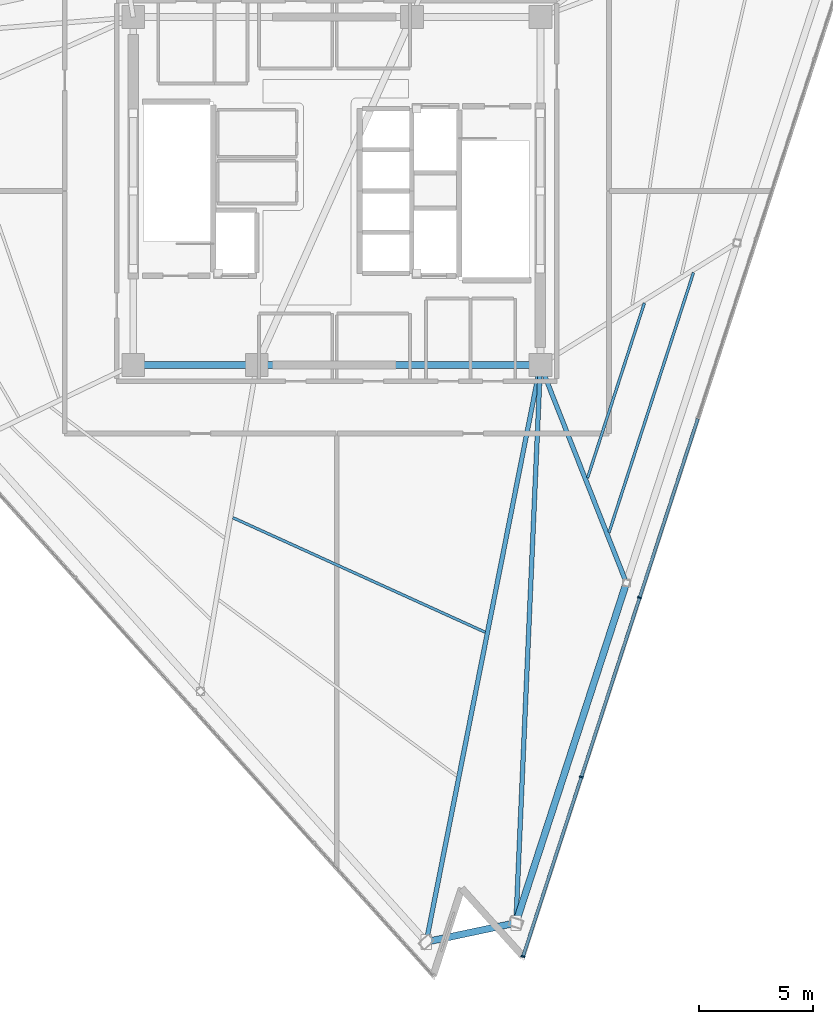
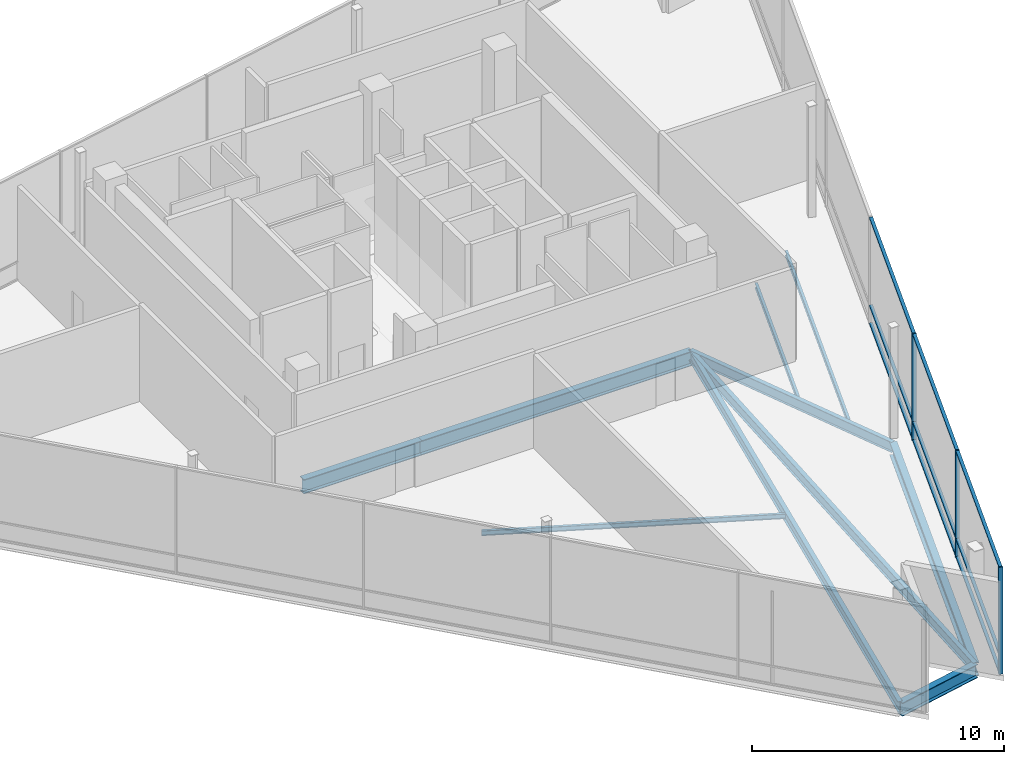
# One storey, part 5 of 14: 12 members, 10 beams, 1 element without a shape of its own.
"""IFC4 building model written with IfcOpenShell, lengths in metres."""

import ifcopenshell
import ifcopenshell.guid

model = None  # the IFC model being written
_history = None  # IfcOwnerHistory: only IFC2X3 demands one
_inside = {}  # id of a spatial element -> (the spatial element, [elements in it])
_under = {}  # id of a project, library or spatial element -> (it, [spatial elements below it])
_declared = {}  # id of a project -> (the project, [libraries it declares])
_typed = {}  # id of a type object -> (the type object, [elements of that type])
_made_of = {}  # id of a material, layer set ... -> (it, [elements and type objects made of it])


def new_model(schema):
    """Start an empty IFC model of exactly this schema.

    Asked for "IFC4X3", IfcOpenShell would pick the latest addendum, in which some entities
    have other attributes; the version numbers below select the first issue.
    IFC2X3 requires an IfcOwnerHistory on every rooted entity: one is made here for all.
    """
    global model, _history
    if schema == "IFC4X3":
        model = ifcopenshell.file(schema_version=(4, 3, 0, 0))
    else:
        model = ifcopenshell.file(schema=schema)
    _inside.clear()
    _under.clear()
    _declared.clear()
    _typed.clear()
    _made_of.clear()
    _history = None
    if model.schema == "IFC2X3":
        org = make("IfcOrganization", Name="unknown")
        user = make(
            "IfcPersonAndOrganization",
            ThePerson=make("IfcPerson", FamilyName="unknown"),
            TheOrganization=org,
        )
        app = make(
            "IfcApplication",
            ApplicationDeveloper=org,
            Version="unknown",
            ApplicationFullName="unknown",
            ApplicationIdentifier="unknown",
        )
        _history = make(
            "IfcOwnerHistory",
            OwningUser=user,
            OwningApplication=app,
            ChangeAction="ADDED",
            CreationDate=0,
        )
    return model


def make(cls, **values):
    """One entity of the class cls with the attributes given. An attribute that is None is left unset."""
    return model.create_entity(
        cls, **{name: value for name, value in values.items() if value is not None}
    )


def rooted(cls, **values):
    """An entity with a GlobalId (a new one), such as an element, a storey or a relation."""
    return make(cls, GlobalId=ifcopenshell.guid.new(), OwnerHistory=_history, **values)


def si_unit(unit_type, name, prefix=None):
    """IfcSIUnit, for example si_unit("LENGTHUNIT", "METRE", prefix="MILLI")."""
    return make("IfcSIUnit", UnitType=unit_type, Prefix=prefix, Name=name)


def assignment(units):
    """IfcUnitAssignment: the units of a project."""
    return None if units is None else make("IfcUnitAssignment", Units=units)


def point(xyz):
    """IfcCartesianPoint."""
    return None if xyz is None else make("IfcCartesianPoint", Coordinates=xyz)


def direction(xyz):
    """IfcDirection."""
    return None if xyz is None else make("IfcDirection", DirectionRatios=xyz)


def frame(location, z_axis=None, x_axis=None):
    """IfcAxis2Placement3D, a coordinate frame: its origin and axes. An axis left out is left unset."""
    return make(
        "IfcAxis2Placement3D",
        Location=point(location),
        Axis=direction(z_axis),
        RefDirection=direction(x_axis),
    )


def frame_2d(location, x_axis=None):
    """IfcAxis2Placement2D, a coordinate frame in the plane: its origin and x axis."""
    return make(
        "IfcAxis2Placement2D", Location=point(location), RefDirection=direction(x_axis)
    )


def origin():
    """The frame at (0, 0, 0) with its axes left unset."""
    return frame((0.0, 0.0, 0.0))


def origin_2d():
    """The frame at (0, 0) in the plane with its x axis left unset."""
    return frame_2d((0.0, 0.0))


def place(relative_to, where):
    """IfcLocalPlacement: puts the frame where relative to a parent placement (None: the world)."""
    return make(
        "IfcLocalPlacement", PlacementRelTo=relative_to, RelativePlacement=where
    )


def context(
    kind, dimensions, precision=None, world=None, true_north=None, identifier=None
):
    """IfcGeometricRepresentationContext, for example the 3D "Model" context."""
    return make(
        "IfcGeometricRepresentationContext",
        ContextIdentifier=identifier,
        ContextType=kind,
        CoordinateSpaceDimension=dimensions,
        Precision=precision,
        WorldCoordinateSystem=world,
        TrueNorth=true_north,
    )


def subcontext(parent, identifier, kind, view, scale=None):
    """IfcGeometricRepresentationSubContext, for example "Body" below "Model"."""
    return make(
        "IfcGeometricRepresentationSubContext",
        ContextIdentifier=identifier,
        ContextType=kind,
        ParentContext=parent,
        TargetScale=scale,
        TargetView=view,
    )


def project(units=None, contexts=None):
    """IfcProject with its units and contexts."""
    return rooted(
        "IfcProject",
        Name="project",
        RepresentationContexts=contexts,
        UnitsInContext=assignment(units),
    )


def spatial(cls, under=None, at=None, **own):
    """A site, building, storey or space (cls), placed at a placement, below another one or the project."""
    s = rooted(cls, ObjectPlacement=at, **own)
    if under is not None:
        _under.setdefault(under.id(), (under, []))[1].append(s)
    return s


def profile(cls, at=None, kind="AREA", **sizes):
    """A parametric profile (cls). Its sizes go by their IFC names, for example OverallWidth=200.0."""
    return make(cls, ProfileType=kind, Position=at, **sizes)


def rectangle(**sizes):
    """IfcRectangleProfileDef."""
    return profile("IfcRectangleProfileDef", **sizes)


def i_section(**sizes):
    """IfcIShapeProfileDef."""
    return profile("IfcIShapeProfileDef", **sizes)


def extrude(swept, where, along, depth):
    """IfcExtrudedAreaSolid: the profile swept, set in the frame where, extruded along a direction by depth."""
    return make(
        "IfcExtrudedAreaSolid",
        SweptArea=swept,
        Position=where,
        ExtrudedDirection=direction(along),
        Depth=depth,
    )


def shape(context_of_items, identifier, shape_type, items):
    """IfcShapeRepresentation: the items that make up one representation, for example the "Body"."""
    return make(
        "IfcShapeRepresentation",
        ContextOfItems=context_of_items,
        RepresentationIdentifier=identifier,
        RepresentationType=shape_type,
        Items=items,
    )


def material(Name=None, Category=None):
    """IfcMaterial."""
    return make("IfcMaterial", Name=Name, Category=Category)


def layer(
    of_material, thickness, ventilated=None, Name=None, Category=None, Priority=None
):
    """IfcMaterialLayer: one layer of a wall or slab, of a material (None: an air gap)."""
    return make(
        "IfcMaterialLayer",
        Material=of_material,
        LayerThickness=thickness,
        IsVentilated=ventilated,
        Name=Name,
        Category=Category,
        Priority=Priority,
    )


def layer_set(layers, Name=None):
    """IfcMaterialLayerSet."""
    return make("IfcMaterialLayerSet", MaterialLayers=layers, LayerSetName=Name)


def material_profile(
    of_material, cross_section, Name=None, Category=None, Priority=None
):
    """IfcMaterialProfile: a cross section and its material."""
    return make(
        "IfcMaterialProfile",
        Name=Name,
        Material=of_material,
        Profile=cross_section,
        Priority=Priority,
        Category=Category,
    )


def profile_set(profiles, Name=None, composite=None):
    """IfcMaterialProfileSet."""
    return make(
        "IfcMaterialProfileSet",
        Name=Name,
        MaterialProfiles=profiles,
        CompositeProfile=composite,
    )


def made_of(thing, what):
    """Note that an element or type object is made of a material, layer set ...; save() writes the relation."""
    if what is not None:
        _made_of.setdefault(what.id(), (what, []))[1].append(thing)
    return thing


def type_object(cls, material=None, **own):
    """A type object (cls), such as IfcWallType, which elements share."""
    return made_of(rooted(cls, **own), material)


def element(
    cls,
    number,
    at=None,
    inside=None,
    cuts=None,
    type_object=None,
    material=None,
    context=None,
    identifier="Body",
    shape_type=None,
    held_by="IfcProductDefinitionShape",
    body=None,
    shapes=None,
    **own,
):
    """One element of the class cls, such as IfcWall. Its Tag is "e" and its number.

    at: its placement. inside: the storey or other place that contains it. cuts: it is an
    opening in that element (IfcRelVoidsElement). A single representation is given by context,
    identifier, shape_type and body (its items); several are given by shapes. held_by: the class
    of the entity that holds the representations. save() writes the other relations.
    """
    e = rooted(cls, Tag="e%d" % number, ObjectPlacement=at, **own)
    if body is not None:
        shapes = [shape(context, identifier, shape_type, body)]
    if shapes is not None:
        e.Representation = make(held_by, Representations=shapes)
    if inside is not None:
        _inside.setdefault(inside.id(), (inside, []))[1].append(e)
    if cuts is not None:
        rooted(
            "IfcRelVoidsElement", RelatingBuildingElement=cuts, RelatedOpeningElement=e
        )
    if type_object is not None:
        _typed.setdefault(type_object.id(), (type_object, []))[1].append(e)
    return made_of(e, material)


def aggregate(whole, parts):
    """IfcRelAggregates: a whole, such as a stair, and the parts it consists of."""
    return rooted("IfcRelAggregates", RelatingObject=whole, RelatedObjects=parts)


def save(model, path):
    """Write the relations noted so far, then the file.

    IfcRelAggregates (storeys below a building ...), IfcRelContainedInSpatialStructure (elements
    in a storey), IfcRelDefinesByType, IfcRelAssociatesMaterial and IfcRelDeclares: one each for
    every whole, place, type object, material and project.
    """
    for whole, parts in _under.values():
        aggregate(whole, parts)
    for where, things in _inside.values():
        rooted(
            "IfcRelContainedInSpatialStructure",
            RelatedElements=things,
            RelatingStructure=where,
        )
    for kind, things in _typed.values():
        rooted("IfcRelDefinesByType", RelatedObjects=things, RelatingType=kind)
    for what, things in _made_of.values():
        rooted("IfcRelAssociatesMaterial", RelatedObjects=things, RelatingMaterial=what)
    for by, libraries in _declared.values():
        rooted("IfcRelDeclares", RelatingContext=by, RelatedDefinitions=libraries)
    model.write(path)


model = new_model("IFC4")

# Units and contexts
model_context = context("Model", 3, precision=1e-05, world=origin(), true_north=direction((0.0, 1.0)))
body_context = subcontext(model_context, "Body", "Model", "MODEL_VIEW")
ifc_project = project(units=[si_unit("LENGTHUNIT", "METRE"), si_unit("AREAUNIT", "SQUARE_METRE"), si_unit("VOLUMEUNIT", "CUBIC_METRE"), si_unit("PLANEANGLEUNIT", "RADIAN"), si_unit("MASSUNIT", "GRAM", prefix="KILO")], contexts=[model_context])

# Site, building, storey
site_placement = place(None, origin())
site = spatial("IfcSite", under=ifc_project, at=site_placement, CompositionType="ELEMENT")
building_placement = place(site_placement, origin())
building = spatial("IfcBuilding", under=site, at=building_placement, Name="Tharavind Bronze Gate", CompositionType="ELEMENT")
storey_placement = place(building_placement, frame((0.0, 0.0, 310.85009765625)))
storey = spatial("IfcBuildingStorey", under=building, at=storey_placement, Name="L80", CompositionType="ELEMENT", Elevation=310.85009765625)

# Curtain wall, members
ifc_material_1 = material(Name="Anodised Bronze Aluminium", Category="aluminium")
ifc_layer = layer(ifc_material_1, 0.219970703125)
ifc_layer_set = layer_set([ifc_layer], Name="Anodised Bronze Aluminium")
curtain_wall_type = type_object("IfcCurtainWallType", Name="UNITISED CURTAIN WALL CROWN", PredefinedType="USERDEFINED", material=ifc_layer_set)
curtain_wall_placement = place(storey_placement, origin())
curtain_wall = element("IfcCurtainWall", 1, at=curtain_wall_placement, inside=storey, type_object=curtain_wall_type, Name="L80 unitised curtain wall crown CW-L80-S2", ObjectType="UNITISED CURTAIN WALL", PredefinedType="USERDEFINED")
member_type_1 = type_object("IfcMemberType", Name="CURTAIN WALL BRONZE MULLION 65X180", PredefinedType="MULLION", material=ifc_material_1)
member_1_placement = place(storey_placement, frame((8.14111328125, -33.462646484375, 0.0), z_axis=(0.0, 0.0, 1.0), x_axis=(0.309016994375, 0.951056516295, 0.0)))
member_1 = element("IfcMember", 2, at=member_1_placement, type_object=member_type_1, Name="CW-L80-S2 mullion 1", PredefinedType="MULLION", context=body_context, shape_type="SweptSolid", body=[
    extrude(rectangle(XDim=0.06494140625, YDim=0.179931640625, at=origin_2d()), origin(), (0.0, 0.0, 1.0), 5.179931640625),
])
member_2_placement = place(storey_placement, frame((10.68994140625, -25.618408203125, 0.0), z_axis=(0.0, 0.0, 1.0), x_axis=(0.309016994375, 0.951056516295, 0.0)))
member_2 = element("IfcMember", 3, at=member_2_placement, type_object=member_type_1, Name="CW-L80-S2 mullion 2", PredefinedType="MULLION", context=body_context, shape_type="SweptSolid", body=[
    extrude(rectangle(XDim=0.06494140625, YDim=0.179931640625, at=origin_2d()), origin(), (0.0, 0.0, 1.0), 5.179931640625),
])
member_3_placement = place(storey_placement, frame((13.23876953125, -17.77392578125, 0.0), z_axis=(0.0, 0.0, 1.0), x_axis=(0.309016994375, 0.951056516295, 0.0)))
member_3 = element("IfcMember", 4, at=member_3_placement, type_object=member_type_1, Name="CW-L80-S2 mullion 3", PredefinedType="MULLION", context=body_context, shape_type="SweptSolid", body=[
    extrude(rectangle(XDim=0.06494140625, YDim=0.179931640625, at=origin_2d()), origin(), (0.0, 0.0, 1.0), 5.179931640625),
])
member_type_2 = type_object("IfcMemberType", Name="CURTAIN WALL BRONZE TRANSOM 65X140", PredefinedType="USERDEFINED", material=ifc_material_1)
member_4_placement = place(storey_placement, frame((9.41552734375, -29.54052734375, 0.0), z_axis=(0.0, 0.0, 1.0), x_axis=(0.309016994375, 0.951056516295, 0.0)))
member_4 = element("IfcMember", 5, at=member_4_placement, type_object=member_type_2, Name="CW-L80-S2 transom TB1", ObjectType="TRANSOM", PredefinedType="USERDEFINED", context=body_context, shape_type="SweptSolid", body=[
    extrude(rectangle(XDim=8.195068359375, YDim=0.139892578125, at=origin_2d()), origin(), (0.0, 0.0, 1.0), 0.06494140625),
])
member_5_placement = place(storey_placement, frame((9.41552734375, -29.54052734375, 0.867431640625), z_axis=(0.0, 0.0, 1.0), x_axis=(0.309016994375, 0.951056516295, 0.0)))
member_5 = element("IfcMember", 6, at=member_5_placement, type_object=member_type_2, Name="CW-L80-S2 transom TS1", ObjectType="TRANSOM", PredefinedType="USERDEFINED", context=body_context, shape_type="SweptSolid", body=[
    extrude(rectangle(XDim=8.195068359375, YDim=0.139892578125, at=origin_2d()), origin(), (0.0, 0.0, 1.0), 0.06494140625),
])
member_6_placement = place(storey_placement, frame((9.41552734375, -29.54052734375, 5.114990234375), z_axis=(0.0, 0.0, 1.0), x_axis=(0.309016994375, 0.951056516295, 0.0)))
member_6 = element("IfcMember", 7, at=member_6_placement, type_object=member_type_2, Name="CW-L80-S2 transom TT1", ObjectType="TRANSOM", PredefinedType="USERDEFINED", context=body_context, shape_type="SweptSolid", body=[
    extrude(rectangle(XDim=8.195068359375, YDim=0.139892578125, at=origin_2d()), origin(), (0.0, 0.0, 1.0), 0.06494140625),
])
member_7_placement = place(storey_placement, frame((11.96435546875, -21.6962890625, 0.0), z_axis=(0.0, 0.0, 1.0), x_axis=(0.309016994375, 0.951056516295, 0.0)))
member_7 = element("IfcMember", 8, at=member_7_placement, type_object=member_type_2, Name="CW-L80-S2 transom TB2", ObjectType="TRANSOM", PredefinedType="USERDEFINED", context=body_context, shape_type="SweptSolid", body=[
    extrude(rectangle(XDim=8.195068359375, YDim=0.139892578125, at=origin_2d()), origin(), (0.0, 0.0, 1.0), 0.06494140625),
])
member_8_placement = place(storey_placement, frame((11.96435546875, -21.6962890625, 0.867431640625), z_axis=(0.0, 0.0, 1.0), x_axis=(0.309016994375, 0.951056516295, 0.0)))
member_8 = element("IfcMember", 9, at=member_8_placement, type_object=member_type_2, Name="CW-L80-S2 transom TS2", ObjectType="TRANSOM", PredefinedType="USERDEFINED", context=body_context, shape_type="SweptSolid", body=[
    extrude(rectangle(XDim=8.195068359375, YDim=0.139892578125, at=origin_2d()), origin(), (0.0, 0.0, 1.0), 0.06494140625),
])
member_9_placement = place(storey_placement, frame((11.96435546875, -21.6962890625, 5.114990234375), z_axis=(0.0, 0.0, 1.0), x_axis=(0.309016994375, 0.951056516295, 0.0)))
member_9 = element("IfcMember", 10, at=member_9_placement, type_object=member_type_2, Name="CW-L80-S2 transom TT2", ObjectType="TRANSOM", PredefinedType="USERDEFINED", context=body_context, shape_type="SweptSolid", body=[
    extrude(rectangle(XDim=8.195068359375, YDim=0.139892578125, at=origin_2d()), origin(), (0.0, 0.0, 1.0), 0.06494140625),
])
member_10_placement = place(storey_placement, frame((14.51318359375, -13.851806640625, 0.0), z_axis=(0.0, 0.0, 1.0), x_axis=(0.309016994375, 0.951056516295, 0.0)))
member_10 = element("IfcMember", 11, at=member_10_placement, type_object=member_type_2, Name="CW-L80-S2 transom TB3", ObjectType="TRANSOM", PredefinedType="USERDEFINED", context=body_context, shape_type="SweptSolid", body=[
    extrude(rectangle(XDim=8.195068359375, YDim=0.139892578125, at=origin_2d()), origin(), (0.0, 0.0, 1.0), 0.06494140625),
])
member_11_placement = place(storey_placement, frame((14.51318359375, -13.851806640625, 0.867431640625), z_axis=(0.0, 0.0, 1.0), x_axis=(0.309016994375, 0.951056516295, 0.0)))
member_11 = element("IfcMember", 12, at=member_11_placement, type_object=member_type_2, Name="CW-L80-S2 transom TS3", ObjectType="TRANSOM", PredefinedType="USERDEFINED", context=body_context, shape_type="SweptSolid", body=[
    extrude(rectangle(XDim=8.195068359375, YDim=0.139892578125, at=origin_2d()), origin(), (0.0, 0.0, 1.0), 0.06494140625),
])
member_12_placement = place(storey_placement, frame((14.51318359375, -13.851806640625, 5.114990234375), z_axis=(0.0, 0.0, 1.0), x_axis=(0.309016994375, 0.951056516295, 0.0)))
member_12 = element("IfcMember", 13, at=member_12_placement, type_object=member_type_2, Name="CW-L80-S2 transom TT3", ObjectType="TRANSOM", PredefinedType="USERDEFINED", context=body_context, shape_type="SweptSolid", body=[
    extrude(rectangle(XDim=8.195068359375, YDim=0.139892578125, at=origin_2d()), origin(), (0.0, 0.0, 1.0), 0.06494140625),
])
aggregate(curtain_wall, [member_1, member_2, member_3, member_4, member_5, member_6, member_7, member_8, member_9, member_10, member_11, member_12])

# Beams
ifc_material_2 = material(Name="Steel S355", Category="steel")
ifc_material_profile_1 = material_profile(ifc_material_2, i_section(OverallWidth=0.300048828125, OverallDepth=0.64990234375, WebThickness=0.01611328125, FlangeThickness=0.031005859375, at=origin_2d()), Name="HE650B")
ifc_profile_set_1 = profile_set([ifc_material_profile_1], Name="Steel S355")
beam_type_1 = type_object("IfcBeamType", Name="PRIMARY GIRDER HE650B", PredefinedType="USERDEFINED", material=ifc_profile_set_1)
beam_1_placement = place(storey_placement, frame((3.908935546875, -32.82861328125, -0.565185546875), z_axis=(0.978162875873, 0.207839813954, 0.0), x_axis=(-0.207839813954, 0.978162875873, 0.0)))
element("IfcBeam", 14, at=beam_1_placement, inside=storey, type_object=beam_type_1, Name="L80 primary girder he650b BM-L80-PRG04", ObjectType="GIRDER", PredefinedType="USERDEFINED", context=body_context, shape_type="SweptSolid", body=[
    extrude(i_section(OverallWidth=0.300048828125, OverallDepth=0.64990234375, WebThickness=0.01611328125, FlangeThickness=0.031005859375, at=origin_2d()), origin(), (0.0, 0.0, 1.0), 4.0078125),
])
beam_2_placement = place(storey_placement, frame((7.829345703125, -31.99560546875, -0.565185546875), z_axis=(0.309011547215, 0.951058286168, 0.0), x_axis=(-0.951058286168, 0.309011547215, 0.0)))
element("IfcBeam", 15, at=beam_2_placement, inside=storey, type_object=beam_type_1, Name="L80 primary girder he650b BM-L80-PRG05", ObjectType="GIRDER", PredefinedType="USERDEFINED", context=body_context, shape_type="SweptSolid", body=[
    extrude(i_section(OverallWidth=0.300048828125, OverallDepth=0.64990234375, WebThickness=0.01611328125, FlangeThickness=0.031005859375, at=origin_2d()), origin(), (0.0, 0.0, 1.0), 15.6298828125),
])
ifc_material_profile_2 = material_profile(ifc_material_2, i_section(OverallWidth=0.199951171875, OverallDepth=0.5, WebThickness=0.01025390625, FlangeThickness=0.01611328125, at=origin_2d()), Name="IPE500")
ifc_profile_set_2 = profile_set([ifc_material_profile_2], Name="Steel S355")
beam_type_2 = type_object("IfcBeamType", Name="PRIMARY GIRDER IPE500", PredefinedType="USERDEFINED", material=ifc_profile_set_2)
beam_3_placement = place(storey_placement, frame((3.908935546875, -32.82861328125, -0.489990234375), z_axis=(0.194069196249, 0.980987842467, 0.0), x_axis=(-0.980987842467, 0.194069196249, 0.0)))
element("IfcBeam", 16, at=beam_3_placement, inside=storey, type_object=beam_type_2, Name="L80 primary girder ipe500 BM-L80-RAD04", ObjectType="GIRDER", PredefinedType="USERDEFINED", context=body_context, shape_type="SweptSolid", body=[
    extrude(i_section(OverallWidth=0.199951171875, OverallDepth=0.5, WebThickness=0.01025390625, FlangeThickness=0.01611328125, at=origin_2d()), origin(), (0.0, 0.0, 1.0), 25.717529296875),
])
beam_4_placement = place(storey_placement, frame((7.829345703125, -31.99560546875, -0.489990234375), z_axis=(0.043841158128, 0.9990385142, 0.0), x_axis=(-0.9990385142, 0.043841158128, 0.0)))
element("IfcBeam", 17, at=beam_4_placement, inside=storey, type_object=beam_type_2, Name="L80 primary girder ipe500 BM-L80-RAD05", ObjectType="GIRDER", PredefinedType="USERDEFINED", context=body_context, shape_type="SweptSolid", body=[
    extrude(i_section(OverallWidth=0.199951171875, OverallDepth=0.5, WebThickness=0.01025390625, FlangeThickness=0.01611328125, at=origin_2d()), origin(), (0.0, 0.0, 1.0), 24.4189453125),
])
beam_5_placement = place(storey_placement, frame((12.6591796875, -17.130615234375, -0.489990234375), z_axis=(-0.366932678931, 0.930247498859, 0.0), x_axis=(-0.930247498859, -0.366932678931, 0.0)))
element("IfcBeam", 18, at=beam_5_placement, inside=storey, type_object=beam_type_2, Name="L80 primary girder ipe500 BM-L80-RAD06", ObjectType="GIRDER", PredefinedType="USERDEFINED", context=body_context, shape_type="SweptSolid", body=[
    extrude(i_section(OverallWidth=0.199951171875, OverallDepth=0.5, WebThickness=0.01025390625, FlangeThickness=0.01611328125, at=origin_2d()), origin(), (0.0, 0.0, 1.0), 10.2451171875),
])
ifc_material_profile_3 = material_profile(ifc_material_2, i_section(OverallWidth=0.300048828125, OverallDepth=0.699951171875, WebThickness=0.01708984375, FlangeThickness=0.031982421875, at=origin_2d()), Name="HE700B")
ifc_profile_set_3 = profile_set([ifc_material_profile_3], Name="Steel S355")
beam_type_3 = type_object("IfcBeamType", Name="RING GIRDER HE700B", PredefinedType="USERDEFINED", material=ifc_profile_set_3)
beam_6_placement = place(storey_placement, frame((-8.89990234375, -7.60009765625, -0.590087890625), z_axis=(1.0, 0.0, 0.0), x_axis=(0.0, 1.0, 0.0)))
element("IfcBeam", 19, at=beam_6_placement, inside=storey, type_object=beam_type_3, Name="L80 ring girder he700b BM-L80-CR1", ObjectType="GIRDER", PredefinedType="USERDEFINED", context=body_context, shape_type="SweptSolid", body=[
    extrude(i_section(OverallWidth=0.300048828125, OverallDepth=0.699951171875, WebThickness=0.01708984375, FlangeThickness=0.031982421875, at=origin_2d()), origin(), (0.0, 0.0, 1.0), 5.39990234375),
])
beam_7_placement = place(storey_placement, frame((-3.5, -7.60009765625, -0.590087890625), z_axis=(1.0, 0.0, 0.0), x_axis=(0.0, 1.0, 0.0)))
element("IfcBeam", 20, at=beam_7_placement, inside=storey, type_object=beam_type_3, Name="L80 ring girder he700b BM-L80-CR2", ObjectType="GIRDER", PredefinedType="USERDEFINED", context=body_context, shape_type="SweptSolid", body=[
    extrude(i_section(OverallWidth=0.300048828125, OverallDepth=0.699951171875, WebThickness=0.01708984375, FlangeThickness=0.031982421875, at=origin_2d()), origin(), (0.0, 0.0, 1.0), 12.39990234375),
])
ifc_material_profile_4 = material_profile(ifc_material_2, i_section(OverallWidth=0.1201171875, OverallDepth=0.239990234375, WebThickness=0.006103515625, FlangeThickness=0.009765625, at=origin_2d()), Name="IPE240")
ifc_profile_set_4 = profile_set([ifc_material_profile_4], Name="Steel S355")
beam_type_4 = type_object("IfcBeamType", Name="SECONDARY FLOOR JOIST IPE240", PredefinedType="JOIST", material=ifc_profile_set_4)
beam_8_placement = place(storey_placement, frame((-4.543212890625, -14.2822265625, -0.360107421875), z_axis=(0.910570075217, -0.413354736419, 0.0), x_axis=(0.413354736419, 0.910570075217, 0.0)))
element("IfcBeam", 21, at=beam_8_placement, inside=storey, type_object=beam_type_4, Name="L80 secondary floor joist ipe240 BM-L80-JSTA03", PredefinedType="JOIST", context=body_context, shape_type="SweptSolid", body=[
    extrude(i_section(OverallWidth=0.1201171875, OverallDepth=0.239990234375, WebThickness=0.006103515625, FlangeThickness=0.009765625, at=origin_2d()), origin(), (0.0, 0.0, 1.0), 12.10791015625),
])
beam_9_placement = place(storey_placement, frame((10.9609375, -12.545654296875, -0.360107421875), z_axis=(0.309014681119, 0.951057267914, 0.0), x_axis=(-0.951057267914, 0.309014681119, 0.0)))
element("IfcBeam", 22, at=beam_9_placement, inside=storey, type_object=beam_type_4, Name="L80 secondary floor joist ipe240 BM-L80-JSTA06", PredefinedType="JOIST", context=body_context, shape_type="SweptSolid", body=[
    extrude(i_section(OverallWidth=0.1201171875, OverallDepth=0.239990234375, WebThickness=0.006103515625, FlangeThickness=0.009765625, at=origin_2d()), origin(), (0.0, 0.0, 1.0), 8.0419921875),
])
beam_10_placement = place(storey_placement, frame((11.90087890625, -14.92822265625, -0.360107421875), z_axis=(0.309022779796, 0.951054636478, 0.0), x_axis=(-0.951054636478, 0.309022779796, 0.0)))
element("IfcBeam", 23, at=beam_10_placement, inside=storey, type_object=beam_type_4, Name="L80 secondary floor joist ipe240 BM-L80-JSTB06", PredefinedType="JOIST", context=body_context, shape_type="SweptSolid", body=[
    extrude(i_section(OverallWidth=0.1201171875, OverallDepth=0.239990234375, WebThickness=0.006103515625, FlangeThickness=0.009765625, at=origin_2d()), origin(), (0.0, 0.0, 1.0), 11.949462890625),
])

save(model, "model.ifc")
